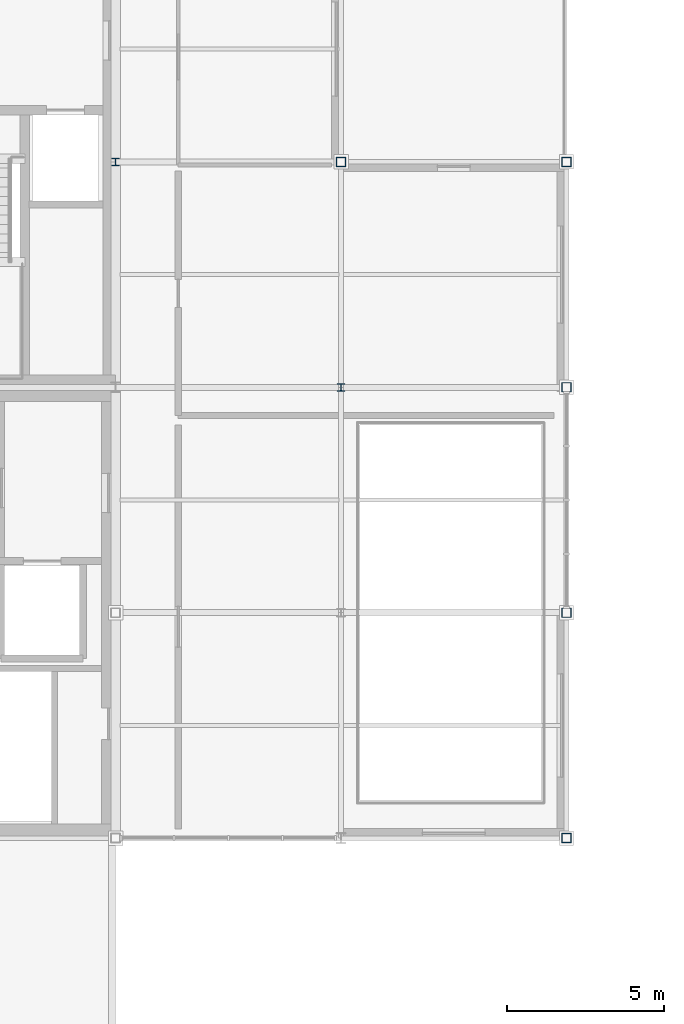
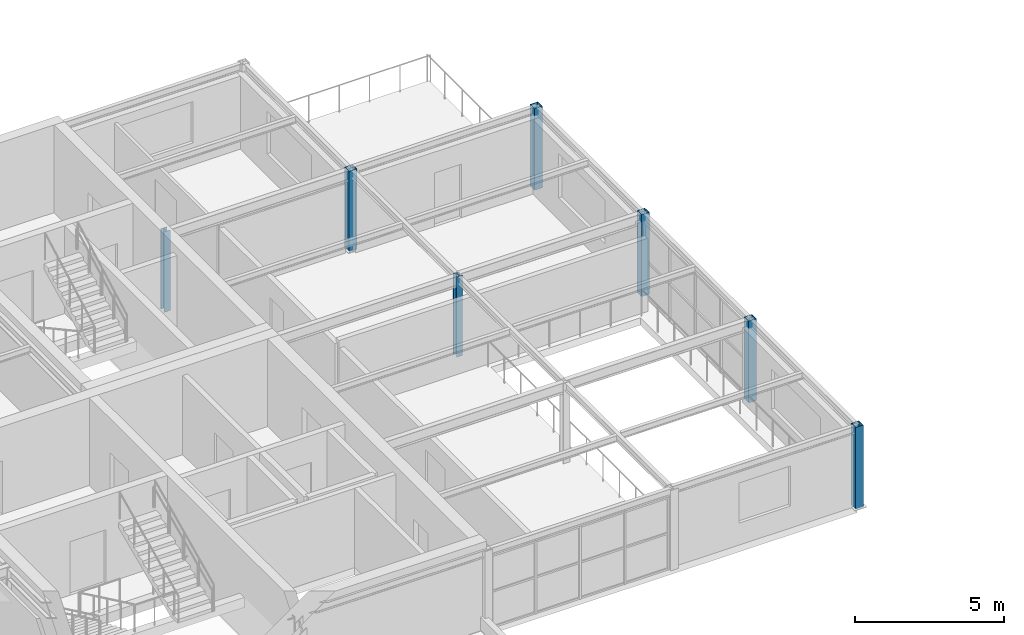
# One storey, part 3 of 22: 7 columns.
"""IFC4 building model written with IfcOpenShell, lengths in metres."""

from ifc_helpers import new_model, si_unit, direction, frame, origin, origin_2d, place, context, subcontext, project, spatial, hollow_rectangle, i_section, extrude, material, material_profile, profile_set, type_object, element, save


model = new_model("IFC4")

# Units and contexts
model_context = context("Model", 3, precision=1e-05, world=origin(), true_north=direction((0.0, 1.0)))
body_context = subcontext(model_context, "Body", "Model", "MODEL_VIEW")
ifc_project = project(units=[si_unit("LENGTHUNIT", "METRE"), si_unit("AREAUNIT", "SQUARE_METRE"), si_unit("VOLUMEUNIT", "CUBIC_METRE"), si_unit("PLANEANGLEUNIT", "RADIAN"), si_unit("MASSUNIT", "GRAM", prefix="KILO")], contexts=[model_context])

# Site, building, storey
site_placement = place(None, origin())
site = spatial("IfcSite", under=ifc_project, at=site_placement, CompositionType="ELEMENT")
building_placement = place(site_placement, origin())
building = spatial("IfcBuilding", under=site, at=building_placement, Name="Leyfeld Transit Interchange", CompositionType="ELEMENT")
storey_placement = place(building_placement, frame((0.0, 0.0, 18.0)))
storey = spatial("IfcBuildingStorey", under=building, at=storey_placement, Name="L04", CompositionType="ELEMENT", Elevation=18.0)

# Columns
ifc_material = material(Name="Steel S355J2", Category="steel")
ifc_material_profile_1 = material_profile(ifc_material, i_section(OverallWidth=0.239990234375, OverallDepth=0.239990234375, WebThickness=0.010009765625, FlangeThickness=0.01708984375, FilletRadius=0.02099609375, at=origin_2d()), Name="HEB 240")
ifc_profile_set_1 = profile_set([ifc_material_profile_1], Name="Steel S355J2")
column_type_1 = type_object("IfcColumnType", Name="COL-CAT-12", PredefinedType="COLUMN", material=ifc_profile_set_1)
for number, where, z_axis, x_axis, name in (
    (1, (21.60009765625, 115.199951171875, 0.0), (0.0, 0.0, 1.0), (1.0, 0.0, 0.0), "Column COL-L04-0216_1152"),
    (2, (28.800048828125, 108.0, 0.0), (0.0, 0.0, 1.0), (1.0, 0.0, 0.0), "Column COL-L04-0288_1080"),
):
    element("IfcColumn", number, at=place(storey_placement, frame(where, z_axis=z_axis, x_axis=x_axis)), inside=storey, type_object=column_type_1, Name=name, PredefinedType="COLUMN", context=body_context, shape_type="SweptSolid", body=[
        extrude(i_section(OverallWidth=0.239990234375, OverallDepth=0.239990234375, WebThickness=0.010009765625, FlangeThickness=0.01708984375, FilletRadius=0.02099609375, at=origin_2d()), origin(), (0.0, 0.0, 1.0), 3.300048828125),
    ])
ifc_material_profile_2 = material_profile(ifc_material, hollow_rectangle(XDim=0.300048828125, YDim=0.300048828125, WallThickness=0.012451171875, at=origin_2d()), Name="SHS 300x300x12.5")
ifc_profile_set_2 = profile_set([ifc_material_profile_2], Name="Steel S355J2")
column_type_2 = type_object("IfcColumnType", Name="COL-STL-SHS300", PredefinedType="COLUMN", material=ifc_profile_set_2)
column_placement = place(storey_placement, frame((28.800048828125, 115.199951171875, 0.0), z_axis=(0.0, 0.0, 1.0), x_axis=(1.0, 0.0, 0.0)))
element("IfcColumn", 3, at=column_placement, inside=storey, type_object=column_type_2, Name="Column COL-L04-0288_1152", PredefinedType="COLUMN", context=body_context, shape_type="SweptSolid", body=[
    extrude(hollow_rectangle(XDim=0.300048828125, YDim=0.300048828125, WallThickness=0.012451171875, at=origin_2d()), origin(), (0.0, 0.0, 1.0), 3.300048828125),
])
for number, where, z_axis, x_axis, name in (
    (4, (36.0, 93.60009765625, 0.0), (0.0, 0.0, 1.0), (1.0, 0.0, 0.0), "Column COL-L04-0360_0936"),
    (5, (36.0, 100.800048828125, 0.0), (0.0, 0.0, 1.0), (1.0, 0.0, 0.0), "Column COL-L04-0360_1008"),
    (6, (36.0, 108.0, 0.0), (0.0, 0.0, 1.0), (1.0, 0.0, 0.0), "Column COL-L04-0360_1080"),
    (7, (36.0, 115.199951171875, 0.0), (0.0, 0.0, 1.0), (1.0, 0.0, 0.0), "Column COL-L04-0360_1152"),
):
    element("IfcColumn", number, at=place(storey_placement, frame(where, z_axis=z_axis, x_axis=x_axis)), inside=storey, type_object=column_type_2, Name=name, PredefinedType="COLUMN", context=body_context, shape_type="SweptSolid", body=[
        extrude(hollow_rectangle(XDim=0.300048828125, YDim=0.300048828125, WallThickness=0.012451171875, at=origin_2d()), origin(), (0.0, 0.0, 1.0), 3.360107421875),
    ])

save(model, "model.ifc")
